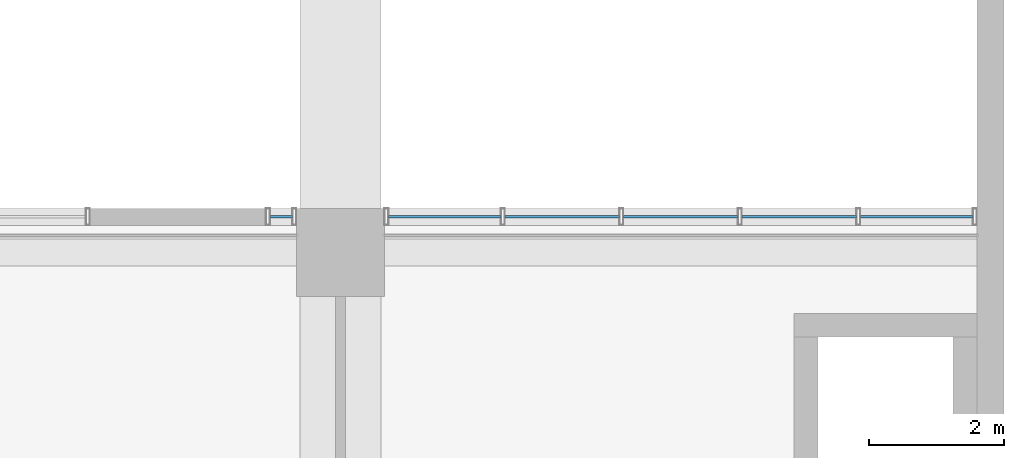
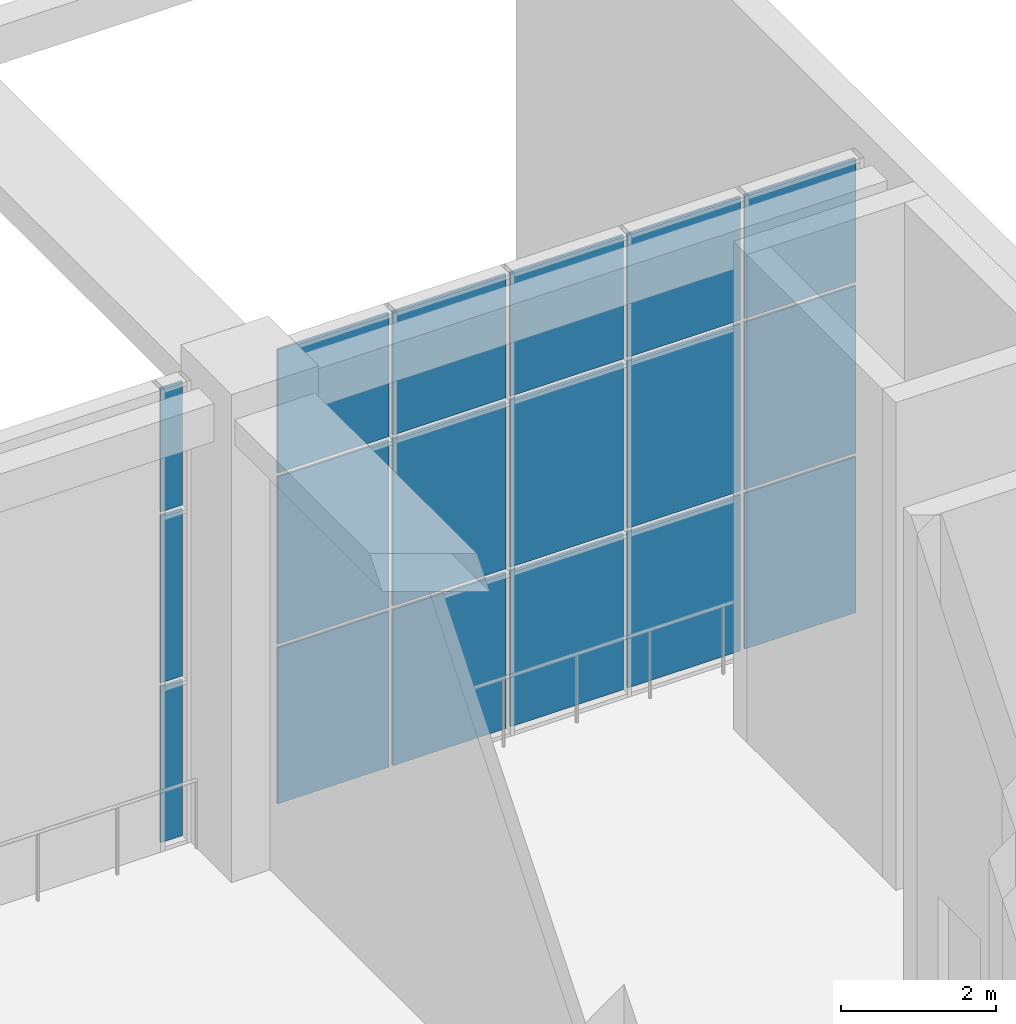
# One storey, part 10 of 33: 18 plates, 2 elements without a shape of their own.
"""IFC4 building model written with IfcOpenShell, lengths in metres."""

from ifc_helpers import new_model, si_unit, direction, frame, origin, origin_2d, place, context, subcontext, project, spatial, rectangle, extrude, material, layer, layer_set, type_object, element, aggregate, save


model = new_model("IFC4")

# Units and contexts
model_context = context("Model", 3, precision=1e-05, world=origin(), true_north=direction((0.0, 1.0)))
body_context = subcontext(model_context, "Body", "Model", "MODEL_VIEW")
ifc_project = project(units=[si_unit("LENGTHUNIT", "METRE"), si_unit("AREAUNIT", "SQUARE_METRE"), si_unit("VOLUMEUNIT", "CUBIC_METRE"), si_unit("PLANEANGLEUNIT", "RADIAN"), si_unit("MASSUNIT", "GRAM", prefix="KILO")], contexts=[model_context])

# Site, building, storey
site_placement = place(None, origin())
site = spatial("IfcSite", under=ifc_project, at=site_placement, CompositionType="ELEMENT")
building_placement = place(site_placement, origin())
building = spatial("IfcBuilding", under=site, at=building_placement, Name="Nzadi Deep Aquarium and Research Tower", CompositionType="ELEMENT")
storey_placement = place(building_placement, frame((0.0, 0.0, 6.5)))
storey = spatial("IfcBuildingStorey", under=building, at=storey_placement, Name="L01", CompositionType="ELEMENT", Elevation=6.5)

# Curtain wall, plates
ifc_material_1 = material(Name="Aluminium stick frame", Category="aluminium")
ifc_layer_1 = layer(ifc_material_1, 0.25)
ifc_layer_set_1 = layer_set([ifc_layer_1], Name="Aluminium stick frame")
curtain_wall_type = type_object("IfcCurtainWallType", Name="Curtain wall Stick 250", PredefinedType="NOTDEFINED", material=ifc_layer_set_1)
curtain_wall_1_placement = place(storey_placement, origin())
curtain_wall_1 = element("IfcCurtainWall", 1, at=curtain_wall_1_placement, inside=storey, type_object=curtain_wall_type, Name="Lobby stick glazing L01", PredefinedType="NOTDEFINED")
ifc_material_2 = material(Name="Glass, deep ocean tint", Category="glass")
ifc_layer_2 = layer(ifc_material_2, 0.031982421875)
ifc_layer_set_2 = layer_set([ifc_layer_2], Name="Glass, deep ocean tint")
plate_type = type_object("IfcPlateType", Name="Glazing panel 32 Stick", PredefinedType="CURTAIN_PANEL", material=ifc_layer_set_2)
plate_1_placement = place(storey_placement, frame((47.125, 132.125, 0.06005859375), z_axis=(0.0, 0.0, 1.0), x_axis=(1.0, 0.0, 0.0)))
plate_1 = element("IfcPlate", 2, at=plate_1_placement, type_object=plate_type, Name="CW246 panel 1.1", PredefinedType="CURTAIN_PANEL", context=body_context, shape_type="SweptSolid", body=[
    extrude(rectangle(XDim=0.330078125, YDim=0.031982421875, at=origin_2d()), origin(), (0.0, 0.0, 1.0), 2.4599609375),
])
plate_2_placement = place(storey_placement, frame((47.125, 132.125, 2.580078125), z_axis=(0.0, 0.0, 1.0), x_axis=(1.0, 0.0, 0.0)))
plate_2 = element("IfcPlate", 3, at=plate_2_placement, type_object=plate_type, Name="CW246 panel 1.2", PredefinedType="CURTAIN_PANEL", context=body_context, shape_type="SweptSolid", body=[
    extrude(rectangle(XDim=0.330078125, YDim=0.031982421875, at=origin_2d()), origin(), (0.0, 0.0, 1.0), 2.638916015625),
])
plate_3_placement = place(storey_placement, frame((47.125, 132.125, 5.27880859375), z_axis=(0.0, 0.0, 1.0), x_axis=(1.0, 0.0, 0.0)))
plate_3 = element("IfcPlate", 4, at=plate_3_placement, type_object=plate_type, Name="CW246 panel 1.3", PredefinedType="CURTAIN_PANEL", context=body_context, shape_type="SweptSolid", body=[
    extrude(rectangle(XDim=0.330078125, YDim=0.031982421875, at=origin_2d()), origin(), (0.0, 0.0, 1.0), 1.950927734375),
])
aggregate(curtain_wall_1, [plate_1, plate_2, plate_3])

curtain_wall_2_placement = place(storey_placement, origin())
curtain_wall_2 = element("IfcCurtainWall", 5, at=curtain_wall_2_placement, inside=storey, type_object=curtain_wall_type, Name="Lobby stick glazing L01", PredefinedType="NOTDEFINED")
plate_4_placement = place(storey_placement, frame((49.5400390625, 132.125, 0.06005859375), z_axis=(0.0, 0.0, 1.0), x_axis=(1.0, 0.0, 0.0)))
plate_4 = element("IfcPlate", 6, at=plate_4_placement, type_object=plate_type, Name="CW248 panel 1.1", PredefinedType="CURTAIN_PANEL", context=body_context, shape_type="SweptSolid", body=[
    extrude(rectangle(XDim=1.659912109375, YDim=0.031982421875, at=origin_2d()), origin(), (0.0, 0.0, 1.0), 2.4599609375),
])
plate_5_placement = place(storey_placement, frame((49.5400390625, 132.125, 2.580078125), z_axis=(0.0, 0.0, 1.0), x_axis=(1.0, 0.0, 0.0)))
plate_5 = element("IfcPlate", 7, at=plate_5_placement, type_object=plate_type, Name="CW248 panel 1.2", PredefinedType="CURTAIN_PANEL", context=body_context, shape_type="SweptSolid", body=[
    extrude(rectangle(XDim=1.659912109375, YDim=0.031982421875, at=origin_2d()), origin(), (0.0, 0.0, 1.0), 2.638916015625),
])
plate_6_placement = place(storey_placement, frame((49.5400390625, 132.125, 5.27880859375), z_axis=(0.0, 0.0, 1.0), x_axis=(1.0, 0.0, 0.0)))
plate_6 = element("IfcPlate", 8, at=plate_6_placement, type_object=plate_type, Name="CW248 panel 1.3", PredefinedType="CURTAIN_PANEL", context=body_context, shape_type="SweptSolid", body=[
    extrude(rectangle(XDim=1.659912109375, YDim=0.031982421875, at=origin_2d()), origin(), (0.0, 0.0, 1.0), 1.950927734375),
])
plate_7_placement = place(storey_placement, frame((51.27490234375, 132.125, 0.06005859375), z_axis=(0.0, 0.0, 1.0), x_axis=(1.0, 0.0, 0.0)))
plate_7 = element("IfcPlate", 9, at=plate_7_placement, type_object=plate_type, Name="CW248 panel 2.1", PredefinedType="CURTAIN_PANEL", context=body_context, shape_type="SweptSolid", body=[
    extrude(rectangle(XDim=1.68994140625, YDim=0.031982421875, at=origin_2d()), origin(), (0.0, 0.0, 1.0), 2.4599609375),
])
plate_8_placement = place(storey_placement, frame((51.27490234375, 132.125, 2.580078125), z_axis=(0.0, 0.0, 1.0), x_axis=(1.0, 0.0, 0.0)))
plate_8 = element("IfcPlate", 10, at=plate_8_placement, type_object=plate_type, Name="CW248 panel 2.2", PredefinedType="CURTAIN_PANEL", context=body_context, shape_type="SweptSolid", body=[
    extrude(rectangle(XDim=1.68994140625, YDim=0.031982421875, at=origin_2d()), origin(), (0.0, 0.0, 1.0), 2.638916015625),
])
plate_9_placement = place(storey_placement, frame((51.27490234375, 132.125, 5.27880859375), z_axis=(0.0, 0.0, 1.0), x_axis=(1.0, 0.0, 0.0)))
plate_9 = element("IfcPlate", 11, at=plate_9_placement, type_object=plate_type, Name="CW248 panel 2.3", PredefinedType="CURTAIN_PANEL", context=body_context, shape_type="SweptSolid", body=[
    extrude(rectangle(XDim=1.68994140625, YDim=0.031982421875, at=origin_2d()), origin(), (0.0, 0.0, 1.0), 1.950927734375),
])
plate_10_placement = place(storey_placement, frame((53.02490234375, 132.125, 0.06005859375), z_axis=(0.0, 0.0, 1.0), x_axis=(1.0, 0.0, 0.0)))
plate_10 = element("IfcPlate", 12, at=plate_10_placement, type_object=plate_type, Name="CW248 panel 3.1", PredefinedType="CURTAIN_PANEL", context=body_context, shape_type="SweptSolid", body=[
    extrude(rectangle(XDim=1.68994140625, YDim=0.031982421875, at=origin_2d()), origin(), (0.0, 0.0, 1.0), 2.4599609375),
])
plate_11_placement = place(storey_placement, frame((53.02490234375, 132.125, 2.580078125), z_axis=(0.0, 0.0, 1.0), x_axis=(1.0, 0.0, 0.0)))
plate_11 = element("IfcPlate", 13, at=plate_11_placement, type_object=plate_type, Name="CW248 panel 3.2", PredefinedType="CURTAIN_PANEL", context=body_context, shape_type="SweptSolid", body=[
    extrude(rectangle(XDim=1.68994140625, YDim=0.031982421875, at=origin_2d()), origin(), (0.0, 0.0, 1.0), 2.638916015625),
])
plate_12_placement = place(storey_placement, frame((53.02490234375, 132.125, 5.27880859375), z_axis=(0.0, 0.0, 1.0), x_axis=(1.0, 0.0, 0.0)))
plate_12 = element("IfcPlate", 14, at=plate_12_placement, type_object=plate_type, Name="CW248 panel 3.3", PredefinedType="CURTAIN_PANEL", context=body_context, shape_type="SweptSolid", body=[
    extrude(rectangle(XDim=1.68994140625, YDim=0.031982421875, at=origin_2d()), origin(), (0.0, 0.0, 1.0), 1.950927734375),
])
plate_13_placement = place(storey_placement, frame((54.77490234375, 132.125, 0.06005859375), z_axis=(0.0, 0.0, 1.0), x_axis=(1.0, 0.0, 0.0)))
plate_13 = element("IfcPlate", 15, at=plate_13_placement, type_object=plate_type, Name="CW248 panel 4.1", PredefinedType="CURTAIN_PANEL", context=body_context, shape_type="SweptSolid", body=[
    extrude(rectangle(XDim=1.68994140625, YDim=0.031982421875, at=origin_2d()), origin(), (0.0, 0.0, 1.0), 2.4599609375),
])
plate_14_placement = place(storey_placement, frame((54.77490234375, 132.125, 2.580078125), z_axis=(0.0, 0.0, 1.0), x_axis=(1.0, 0.0, 0.0)))
plate_14 = element("IfcPlate", 16, at=plate_14_placement, type_object=plate_type, Name="CW248 panel 4.2", PredefinedType="CURTAIN_PANEL", context=body_context, shape_type="SweptSolid", body=[
    extrude(rectangle(XDim=1.68994140625, YDim=0.031982421875, at=origin_2d()), origin(), (0.0, 0.0, 1.0), 2.638916015625),
])
plate_15_placement = place(storey_placement, frame((54.77490234375, 132.125, 5.27880859375), z_axis=(0.0, 0.0, 1.0), x_axis=(1.0, 0.0, 0.0)))
plate_15 = element("IfcPlate", 17, at=plate_15_placement, type_object=plate_type, Name="CW248 panel 4.3", PredefinedType="CURTAIN_PANEL", context=body_context, shape_type="SweptSolid", body=[
    extrude(rectangle(XDim=1.68994140625, YDim=0.031982421875, at=origin_2d()), origin(), (0.0, 0.0, 1.0), 1.950927734375),
])
plate_16_placement = place(storey_placement, frame((56.510009765625, 132.125, 0.06005859375), z_axis=(0.0, 0.0, 1.0), x_axis=(1.0, 0.0, 0.0)))
plate_16 = element("IfcPlate", 18, at=plate_16_placement, type_object=plate_type, Name="CW248 panel 5.1", PredefinedType="CURTAIN_PANEL", context=body_context, shape_type="SweptSolid", body=[
    extrude(rectangle(XDim=1.659912109375, YDim=0.031982421875, at=origin_2d()), origin(), (0.0, 0.0, 1.0), 2.4599609375),
])
plate_17_placement = place(storey_placement, frame((56.510009765625, 132.125, 2.580078125), z_axis=(0.0, 0.0, 1.0), x_axis=(1.0, 0.0, 0.0)))
plate_17 = element("IfcPlate", 19, at=plate_17_placement, type_object=plate_type, Name="CW248 panel 5.2", PredefinedType="CURTAIN_PANEL", context=body_context, shape_type="SweptSolid", body=[
    extrude(rectangle(XDim=1.659912109375, YDim=0.031982421875, at=origin_2d()), origin(), (0.0, 0.0, 1.0), 2.638916015625),
])
plate_18_placement = place(storey_placement, frame((56.510009765625, 132.125, 5.27880859375), z_axis=(0.0, 0.0, 1.0), x_axis=(1.0, 0.0, 0.0)))
plate_18 = element("IfcPlate", 20, at=plate_18_placement, type_object=plate_type, Name="CW248 panel 5.3", PredefinedType="CURTAIN_PANEL", context=body_context, shape_type="SweptSolid", body=[
    extrude(rectangle(XDim=1.659912109375, YDim=0.031982421875, at=origin_2d()), origin(), (0.0, 0.0, 1.0), 1.950927734375),
])
aggregate(curtain_wall_2, [plate_4, plate_5, plate_6, plate_7, plate_8, plate_9, plate_10, plate_11, plate_12, plate_13, plate_14, plate_15, plate_16, plate_17, plate_18])

save(model, "model.ifc")
